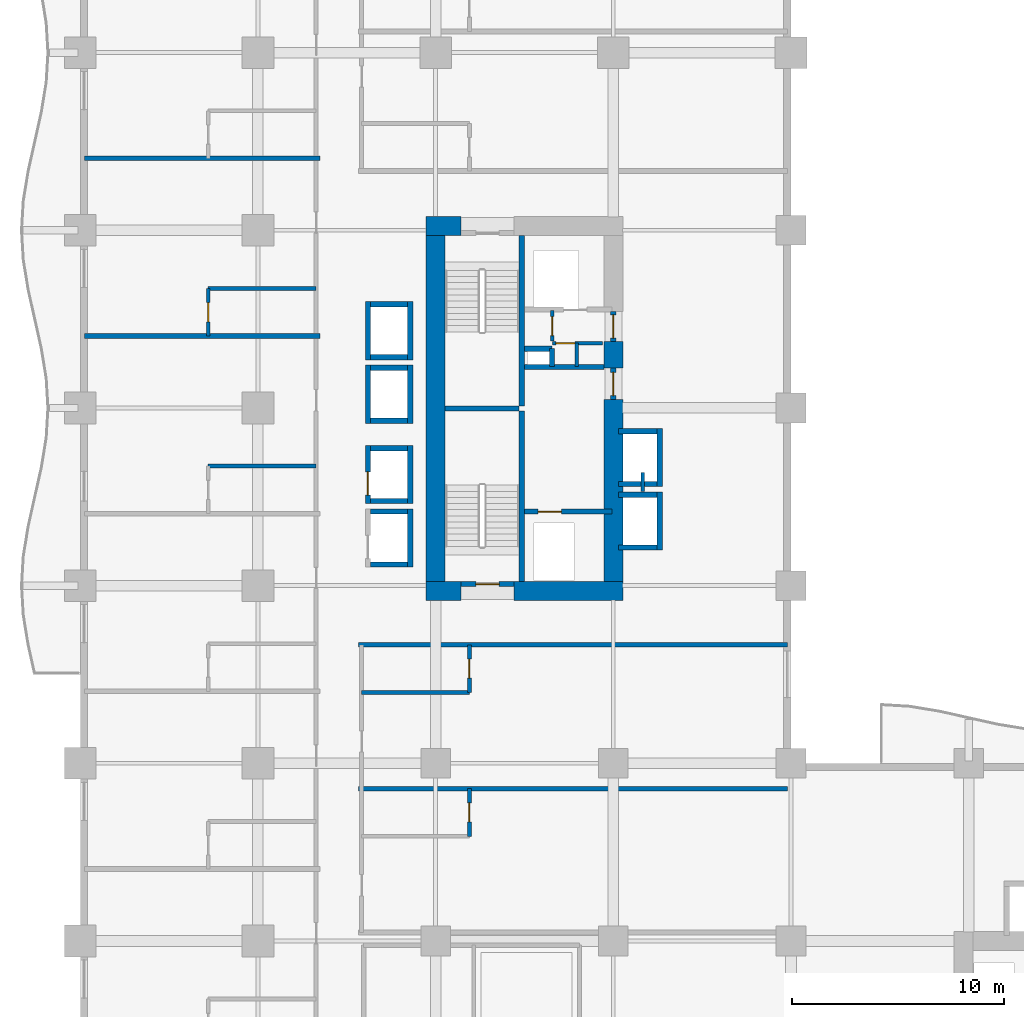
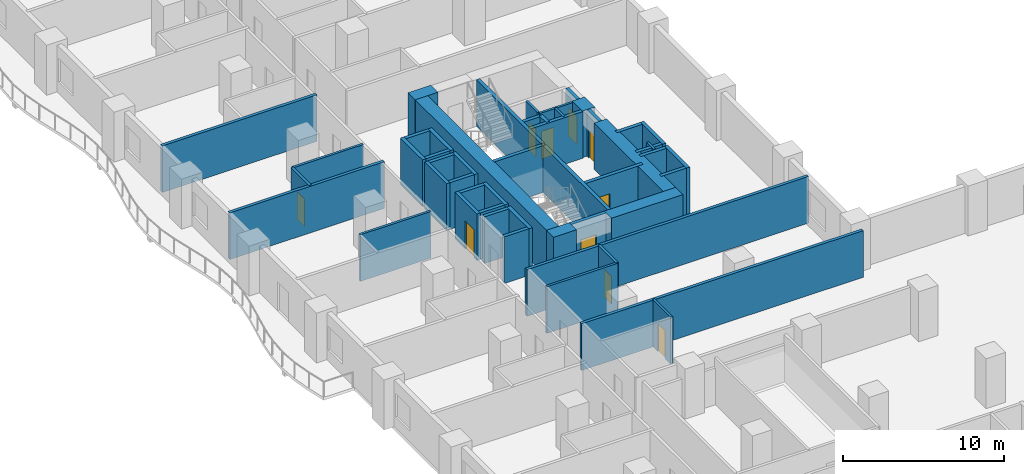
# One storey, part 17 of 26: 51 walls, 10 doors, 10 openings.
"""IFC4 building model written with IfcOpenShell, lengths in metres."""

from ifc_helpers import new_model, si_unit, direction, frame, frame_2d, origin, place, context, subcontext, project, spatial, rectangle, extrude, material, layer, layer_set, type_object, element, fill, save


model = new_model("IFC4")

# Units and contexts
model_context = context("Model", 3, precision=1e-05, world=origin(), true_north=direction((0.0, 1.0)))
body_context = subcontext(model_context, "Body", "Model", "MODEL_VIEW")
ifc_project = project(units=[si_unit("LENGTHUNIT", "METRE"), si_unit("AREAUNIT", "SQUARE_METRE"), si_unit("VOLUMEUNIT", "CUBIC_METRE"), si_unit("PLANEANGLEUNIT", "RADIAN"), si_unit("MASSUNIT", "GRAM", prefix="KILO")], contexts=[model_context])

# Site, building, storey
site_placement = place(None, origin())
site = spatial("IfcSite", under=ifc_project, at=site_placement, CompositionType="ELEMENT")
building_placement = place(site_placement, origin())
building = spatial("IfcBuilding", under=site, at=building_placement, Name="Koriwani Terraces Tower", CompositionType="ELEMENT")
storey_placement = place(building_placement, frame((0.0, 0.0, 39.60009765625)))
storey = spatial("IfcBuildingStorey", under=building, at=storey_placement, Name="L08", CompositionType="ELEMENT", Elevation=39.60009765625)

# Walls
ifc_material_1 = material(Name="Concrete C60/75", Category="concrete")
ifc_layer_1 = layer(ifc_material_1, 0.89990234375, Name="Concrete C60/75")
ifc_layer_set_1 = layer_set([ifc_layer_1], Name="Concrete C60/75")
wall_type_1 = type_object("IfcWallType", Name="WALL_CORE_RC_900", PredefinedType="SHEAR", material=ifc_layer_set_1)
wall_1_placement = place(storey_placement, frame((16.35009765625, 41.75, 0.0), z_axis=(0.0, 0.0, 1.0), x_axis=(1.0, 0.0, 0.0)))
element("IfcWall", 1, at=wall_1_placement, inside=storey, type_object=wall_type_1, Name="L08 West Split Core Shear Wall S1", PredefinedType="SHEAR", context=body_context, shape_type="SweptSolid", body=[
    extrude(rectangle(XDim=1.64990234375, YDim=0.89990234375, at=frame_2d((0.824951171875, 0.0))), origin(), (0.0, 0.0, 1.0), 3.5498046875),
])
wall_2_placement = place(storey_placement, frame((20.5, 41.75, 0.0), z_axis=(0.0, 0.0, 1.0), x_axis=(1.0, 0.0, 0.0)))
element("IfcWall", 2, at=wall_2_placement, inside=storey, type_object=wall_type_1, Name="L08 West Split Core Shear Wall S2", PredefinedType="SHEAR", context=body_context, shape_type="SweptSolid", body=[
    extrude(rectangle(XDim=5.14990234375, YDim=0.89990234375, at=frame_2d((2.574951171875, 0.0))), origin(), (0.0, 0.0, 1.0), 3.5498046875),
])
wall_3_placement = place(storey_placement, frame((16.35009765625, 59.0, 0.0), z_axis=(0.0, 0.0, 1.0), x_axis=(1.0, 0.0, 0.0)))
element("IfcWall", 3, at=wall_3_placement, inside=storey, type_object=wall_type_1, Name="L08 West Split Core Shear Wall N1", PredefinedType="SHEAR", context=body_context, shape_type="SweptSolid", body=[
    extrude(rectangle(XDim=1.64990234375, YDim=0.89990234375, at=frame_2d((0.824951171875, 0.0))), origin(), (0.0, 0.0, 1.0), 3.5498046875),
])
wall_4_placement = place(storey_placement, frame((16.800048828125, 42.199951171875, 0.0), z_axis=(0.0, 0.0, 1.0), x_axis=(0.0, 1.0, 0.0)))
element("IfcWall", 4, at=wall_4_placement, inside=storey, type_object=wall_type_1, Name="L08 West Split Core Shear Wall W1", PredefinedType="SHEAR", context=body_context, shape_type="SweptSolid", body=[
    extrude(rectangle(XDim=16.35009765625, YDim=0.89990234375, at=frame_2d((8.175048828125, 0.0))), origin(), (0.0, 0.0, 1.0), 3.5498046875),
])
wall_5_placement = place(storey_placement, frame((25.199951171875, 42.199951171875, 0.0), z_axis=(0.0, 0.0, 1.0), x_axis=(0.0, 1.0, 0.0)))
element("IfcWall", 5, at=wall_5_placement, inside=storey, type_object=wall_type_1, Name="L08 West Split Core Shear Wall E1", PredefinedType="SHEAR", context=body_context, shape_type="SweptSolid", body=[
    extrude(rectangle(XDim=8.60009765625, YDim=0.89990234375, at=frame_2d((4.300048828125, 0.0))), origin(), (0.0, 0.0, 1.0), 3.5498046875),
])
wall_6_placement = place(storey_placement, frame((25.199951171875, 52.280029296875, 0.0), z_axis=(0.0, 0.0, 1.0), x_axis=(0.0, 1.0, 0.0)))
element("IfcWall", 6, at=wall_6_placement, inside=storey, type_object=wall_type_1, Name="L08 West Split Core Shear Wall E2", PredefinedType="SHEAR", context=body_context, shape_type="SweptSolid", body=[
    extrude(rectangle(XDim=1.27001953125, YDim=0.89990234375, at=frame_2d((0.635009765625, 0.0))), origin(), (0.0, 0.0, 1.0), 3.5498046875),
])
ifc_material_2 = material(Name="Autoclaved Cellular Concrete Blockwork", Category="masonry")
ifc_layer_2 = layer(ifc_material_2, 0.219970703125, Name="Autoclaved Cellular Concrete Blockwork")
ifc_layer_set_2 = layer_set([ifc_layer_2], Name="Autoclaved Cellular Concrete Blockwork")
wall_type_2 = type_object("IfcWallType", Name="WALL_DEMISING_220", PredefinedType="PARTITIONING", material=ifc_layer_set_2)
for number, where, z_axis, x_axis, name in (
    (7, (13.14990234375, 32.39990234375, 0.0), (0.0, 0.0, 1.0), (1.0, 0.0, 0.0), "L08 Interior Wall WDEM-L08-NWI-1"),
    (8, (13.14990234375, 39.199951171875, 0.0), (0.0, 0.0, 1.0), (1.0, 0.0, 0.0), "L08 Interior Wall WDEME-L08-NWI"),
):
    element("IfcWall", number, at=place(storey_placement, frame(where, z_axis=z_axis, x_axis=x_axis)), inside=storey, type_object=wall_type_2, Name=name, PredefinedType="PARTITIONING", context=body_context, shape_type="SweptSolid", body=[
        extrude(rectangle(XDim=20.280029296875, YDim=0.219970703125, at=frame_2d((10.14013671875, 0.0))), origin(), (0.0, 0.0, 1.0), 3.5498046875),
    ])
for number, where, z_axis, x_axis, name in (
    (9, (0.199951171875, 53.800048828125, 0.0), (0.0, 0.0, 1.0), (1.0, 0.0, 0.0), "L08 Interior Wall WDEM-L08-NW-6"),
    (10, (0.199951171875, 62.199951171875, 0.0), (0.0, 0.0, 1.0), (1.0, 0.0, 0.0), "L08 Interior Wall WDEM-L08-NW-7"),
):
    element("IfcWall", number, at=place(storey_placement, frame(where, z_axis=z_axis, x_axis=x_axis)), inside=storey, type_object=wall_type_2, Name=name, PredefinedType="PARTITIONING", context=body_context, shape_type="SweptSolid", body=[
        extrude(rectangle(XDim=11.130126953125, YDim=0.219970703125, at=frame_2d((5.56494140625, 0.0))), origin(), (0.0, 0.0, 1.0), 3.5498046875),
    ])

# Wall, opening, door
ifc_material_3 = material(Name="Fire-Rated Acoustic Gypsum Partition", Category="masonry")
ifc_layer_3 = layer(ifc_material_3, 0.179931640625, Name="Fire-Rated Acoustic Gypsum Partition")
ifc_layer_set_3 = layer_set([ifc_layer_3], Name="Fire-Rated Acoustic Gypsum Partition")
wall_type_3 = type_object("IfcWallType", Name="WALL_PLUMBING_180", PredefinedType="PLUMBINGWALL", material=ifc_layer_set_3)
wall_7_placement = place(storey_placement, frame((18.39990234375, 30.14990234375, 0.0), z_axis=(0.0, 0.0, 1.0), x_axis=(0.0, 1.0, 0.0)))
wall_7 = element("IfcWall", 11, at=wall_7_placement, inside=storey, type_object=wall_type_3, Name="L08 Interior Wall WBTH1-L08-NWI-0", PredefinedType="PLUMBINGWALL", context=body_context, shape_type="SweptSolid", body=[
    extrude(rectangle(XDim=2.25, YDim=0.179931640625, at=frame_2d((1.125, 0.0))), origin(), (0.0, 0.0, 1.0), 3.5498046875),
])
opening_1_placement = place(wall_7_placement, frame((0.675048828125, 0.0, 0.0)))
opening_1 = element("IfcOpeningElement", 12, at=opening_1_placement, cuts=wall_7, Name="Opening D-07", PredefinedType="OPENING", context=body_context, shape_type="SweptSolid", body=[
    extrude(rectangle(XDim=0.89990234375, YDim=2.10009765625, at=frame_2d((0.449951171875, 1.050048828125))), frame((0.0, 0.10009765625, 0.0), z_axis=(0.0, -1.0, 0.0), x_axis=(1.0, 0.0, 0.0)), (0.0, 0.0, 1.0), 0.199951171875),
])
ifc_material_4 = material(Name="Architectural Oak Fire Door", Category="wood")
door_type_1 = type_object("IfcDoorType", Name="DOOR_BATH_INT_900X2100", OperationType="NOTDEFINED", PredefinedType="DOOR", material=ifc_material_4)
door_1_placement = place(opening_1_placement, origin())
door_1 = element("IfcDoor", 13, at=door_1_placement, inside=storey, type_object=door_type_1, Name="En-Suite Bathroom 08NWI1 Door", OperationType="SINGLE_SWING_LEFT", OverallHeight=2.10009765625, OverallWidth=0.89990234375, PredefinedType="DOOR", context=body_context, shape_type="SweptSolid", body=[
    extrude(rectangle(XDim=0.89990234375, YDim=2.10009765625, at=frame_2d((0.449951171875, 1.050048828125))), frame((0.0, 0.02490234375, 0.0), z_axis=(0.0, -1.0, 0.0), x_axis=(1.0, 0.0, 0.0)), (0.0, 0.0, 1.0), 0.050048828125),
])
fill(opening_1, door_1)

wall_8_placement = place(storey_placement, frame((18.39990234375, 36.949951171875, 0.0), z_axis=(0.0, 0.0, 1.0), x_axis=(0.0, 1.0, 0.0)))
wall_8 = element("IfcWall", 14, at=wall_8_placement, inside=storey, type_object=wall_type_3, Name="L08 Interior Wall WBTH1-L08-NWI-1", PredefinedType="PLUMBINGWALL", context=body_context, shape_type="SweptSolid", body=[
    extrude(rectangle(XDim=2.25, YDim=0.179931640625, at=frame_2d((1.125, 0.0))), origin(), (0.0, 0.0, 1.0), 3.5498046875),
])
opening_2_placement = place(wall_8_placement, frame((0.675048828125, 0.0, 0.0)))
opening_2 = element("IfcOpeningElement", 15, at=opening_2_placement, cuts=wall_8, Name="Opening D-07", PredefinedType="OPENING", context=body_context, shape_type="SweptSolid", body=[
    extrude(rectangle(XDim=0.89990234375, YDim=2.10009765625, at=frame_2d((0.449951171875, 1.050048828125))), frame((0.0, 0.10009765625, 0.0), z_axis=(0.0, -1.0, 0.0), x_axis=(1.0, 0.0, 0.0)), (0.0, 0.0, 1.0), 0.199951171875),
])
door_2_placement = place(opening_2_placement, origin())
door_2 = element("IfcDoor", 16, at=door_2_placement, inside=storey, type_object=door_type_1, Name="En-Suite Bathroom 08NWI2 Door", OperationType="SINGLE_SWING_LEFT", OverallHeight=2.10009765625, OverallWidth=0.89990234375, PredefinedType="DOOR", context=body_context, shape_type="SweptSolid", body=[
    extrude(rectangle(XDim=0.89990234375, YDim=2.10009765625, at=frame_2d((0.449951171875, 1.050048828125))), frame((0.0, 0.02490234375, 0.0), z_axis=(0.0, -1.0, 0.0), x_axis=(1.0, 0.0, 0.0)), (0.0, 0.0, 1.0), 0.050048828125),
])
fill(opening_2, door_2)

# Walls
for number, where, z_axis, x_axis, name in (
    (17, (13.300048828125, 36.949951171875, 0.0), (0.0, 0.0, 1.0), (1.0, 0.0, 0.0), "L08 Interior Wall WBTH2-L08-NWI-1"),
    (18, (6.050048828125, 47.64990234375, 0.0), (0.0, 0.0, 1.0), (1.0, 0.0, 0.0), "L08 Interior Wall WBTH2-L08-NW-5"),
):
    element("IfcWall", number, at=place(storey_placement, frame(where, z_axis=z_axis, x_axis=x_axis)), inside=storey, type_object=wall_type_3, Name=name, PredefinedType="PLUMBINGWALL", context=body_context, shape_type="SweptSolid", body=[
        extrude(rectangle(XDim=5.099853515625, YDim=0.179931640625, at=frame_2d((2.5498046875, 0.0))), origin(), (0.0, 0.0, 1.0), 3.5498046875),
    ])

# Wall, opening, door
wall_9_placement = place(storey_placement, frame((6.050048828125, 53.800048828125, 0.0), z_axis=(0.0, 0.0, 1.0), x_axis=(0.0, 1.0, 0.0)))
wall_9 = element("IfcWall", 19, at=wall_9_placement, inside=storey, type_object=wall_type_3, Name="L08 Interior Wall WBTH1-L08-NW-6", PredefinedType="PLUMBINGWALL", context=body_context, shape_type="SweptSolid", body=[
    extrude(rectangle(XDim=2.25, YDim=0.179931640625, at=frame_2d((1.125, 0.0))), origin(), (0.0, 0.0, 1.0), 3.5498046875),
])
opening_3_placement = place(wall_9_placement, frame((0.675048828125, 0.0, 0.0)))
opening_3 = element("IfcOpeningElement", 20, at=opening_3_placement, cuts=wall_9, Name="Opening D-07", PredefinedType="OPENING", context=body_context, shape_type="SweptSolid", body=[
    extrude(rectangle(XDim=0.89990234375, YDim=2.10009765625, at=frame_2d((0.449951171875, 1.050048828125))), frame((0.0, 0.10009765625, 0.0), z_axis=(0.0, -1.0, 0.0), x_axis=(1.0, 0.0, 0.0)), (0.0, 0.0, 1.0), 0.199951171875),
])
door_3_placement = place(opening_3_placement, origin())
door_3 = element("IfcDoor", 21, at=door_3_placement, inside=storey, type_object=door_type_1, Name="En-Suite Bathroom 08NW7 Door", OperationType="SINGLE_SWING_LEFT", OverallHeight=2.10009765625, OverallWidth=0.89990234375, PredefinedType="DOOR", context=body_context, shape_type="SweptSolid", body=[
    extrude(rectangle(XDim=0.89990234375, YDim=2.10009765625, at=frame_2d((0.449951171875, 1.050048828125))), frame((0.0, 0.02490234375, 0.0), z_axis=(0.0, -1.0, 0.0), x_axis=(1.0, 0.0, 0.0)), (0.0, 0.0, 1.0), 0.050048828125),
])
fill(opening_3, door_3)

# Walls
wall_10_placement = place(storey_placement, frame((6.050048828125, 56.050048828125, 0.0), z_axis=(0.0, 0.0, 1.0), x_axis=(1.0, 0.0, 0.0)))
element("IfcWall", 22, at=wall_10_placement, inside=storey, type_object=wall_type_3, Name="L08 Interior Wall WBTH2-L08-NW-6", PredefinedType="PLUMBINGWALL", context=body_context, shape_type="SweptSolid", body=[
    extrude(rectangle(XDim=5.099853515625, YDim=0.179931640625, at=frame_2d((2.5498046875, 0.0))), origin(), (0.0, 0.0, 1.0), 3.5498046875),
])
ifc_material_5 = material(Name="Concrete C40/50", Category="concrete")
ifc_layer_4 = layer(ifc_material_5, 0.25, Name="Concrete C40/50")
ifc_layer_set_4 = layer_set([ifc_layer_4], Name="Concrete C40/50")
wall_type_4 = type_object("IfcWallType", Name="WALL_SHAFT_RATED_250", PredefinedType="SOLIDWALL", material=ifc_layer_set_4)
for number, where, z_axis, x_axis, name in (
    (23, (20.875, 42.199951171875, 0.0), (0.0, 0.0, 1.0), (0.0, 1.0, 0.0), "L08 West Split Core Web Wall MID1"),
    (24, (20.875, 50.5, 0.0), (0.0, 0.0, 1.0), (0.0, 1.0, 0.0), "L08 West Split Core Web Wall MID2"),
):
    element("IfcWall", number, at=place(storey_placement, frame(where, z_axis=z_axis, x_axis=x_axis)), inside=storey, type_object=wall_type_4, Name=name, PredefinedType="SOLIDWALL", context=body_context, shape_type="SweptSolid", body=[
        extrude(rectangle(XDim=8.050048828125, YDim=0.25, at=frame_2d((4.02490234375, 0.0))), origin(), (0.0, 0.0, 1.0), 3.5498046875),
    ])
wall_11_placement = place(storey_placement, frame((17.25, 50.375, 0.0), z_axis=(0.0, 0.0, 1.0), x_axis=(1.0, 0.0, 0.0)))
element("IfcWall", 25, at=wall_11_placement, inside=storey, type_object=wall_type_4, Name="L08 West Split Core Stair Dividing Wall", PredefinedType="SOLIDWALL", context=body_context, shape_type="SweptSolid", body=[
    extrude(rectangle(XDim=3.5, YDim=0.25, at=frame_2d((1.75, 0.0))), origin(), (0.0, 0.0, 1.0), 3.5498046875),
])

# Wall, opening, door
wall_12_placement = place(storey_placement, frame((18.0, 42.074951171875, 0.0), z_axis=(0.0, 0.0, 1.0), x_axis=(1.0, 0.0, 0.0)))
wall_12 = element("IfcWall", 26, at=wall_12_placement, inside=storey, type_object=wall_type_4, Name="L08 Interior Wall WIN-CW-L08-STS", PredefinedType="SOLIDWALL", context=body_context, shape_type="SweptSolid", body=[
    extrude(rectangle(XDim=2.5, YDim=0.25, at=frame_2d((1.25, 0.0))), origin(), (0.0, 0.0, 1.0), 3.5498046875),
])
opening_4_placement = place(wall_12_placement, frame((0.699951171875, 0.0, 0.0)))
opening_4 = element("IfcOpeningElement", 27, at=opening_4_placement, cuts=wall_12, Name="Opening D-03", PredefinedType="OPENING", context=body_context, shape_type="SweptSolid", body=[
    extrude(rectangle(XDim=1.10009765625, YDim=2.14990234375, at=frame_2d((0.550048828125, 1.074951171875))), frame((0.0, 0.135009765625, 0.0), z_axis=(0.0, -1.0, 0.0), x_axis=(1.0, 0.0, 0.0)), (0.0, 0.0, 1.0), 0.27001953125),
])
ifc_material_6 = material(Name="Steel ASTM A572 Grade 50", Category="steel")
door_type_2 = type_object("IfcDoorType", Name="DOOR_STAIR_FIRE_1100X2150", OperationType="NOTDEFINED", PredefinedType="DOOR", material=ifc_material_6)
door_4_placement = place(opening_4_placement, origin())
door_4 = element("IfcDoor", 28, at=door_4_placement, inside=storey, type_object=door_type_2, Name="L08 Exit Stair ST-W1 Door", OperationType="SINGLE_SWING_RIGHT", OverallHeight=2.14990234375, OverallWidth=1.10009765625, PredefinedType="DOOR", context=body_context, shape_type="SweptSolid", body=[
    extrude(rectangle(XDim=1.10009765625, YDim=2.14990234375, at=frame_2d((0.550048828125, 1.074951171875))), frame((0.0, 0.02490234375, 0.0), z_axis=(0.0, -1.0, 0.0), x_axis=(1.0, 0.0, 0.0)), (0.0, 0.0, 1.0), 0.050048828125),
])
fill(opening_4, door_4)

wall_13_placement = place(storey_placement, frame((21.0, 45.5, 0.0), z_axis=(0.0, 0.0, 1.0), x_axis=(1.0, 0.0, 0.0)))
wall_13 = element("IfcWall", 29, at=wall_13_placement, inside=storey, type_object=wall_type_4, Name="L08 Interior Wall WIN-CW-L08-FE", PredefinedType="SOLIDWALL", context=body_context, shape_type="SweptSolid", body=[
    extrude(rectangle(XDim=4.14990234375, YDim=0.25, at=frame_2d((2.074951171875, 0.0))), origin(), (0.0, 0.0, 1.0), 3.5498046875),
])
opening_5_placement = place(wall_13_placement, frame((0.64990234375, 0.0, 0.0)))
opening_5 = element("IfcOpeningElement", 30, at=opening_5_placement, cuts=wall_13, Name="Opening LD-01", PredefinedType="OPENING", context=body_context, shape_type="SweptSolid", body=[
    extrude(rectangle(XDim=1.10009765625, YDim=2.14990234375, at=frame_2d((0.550048828125, 1.074951171875))), frame((0.0, 0.135009765625, 0.0), z_axis=(0.0, -1.0, 0.0), x_axis=(1.0, 0.0, 0.0)), (0.0, 0.0, 1.0), 0.27001953125),
])
door_type_3 = type_object("IfcDoorType", Name="DOOR_LIFT_LANDING_1100X2200", OperationType="NOTDEFINED", PredefinedType="DOOR", material=ifc_material_6)
door_5_placement = place(opening_5_placement, origin())
door_5 = element("IfcDoor", 31, at=door_5_placement, inside=storey, type_object=door_type_3, Name="L08 Firefighting Lift FE-01 Landing Door", OperationType="SLIDING_TO_LEFT", OverallHeight=2.14990234375, OverallWidth=1.10009765625, PredefinedType="DOOR", context=body_context, shape_type="SweptSolid", body=[
    extrude(rectangle(XDim=1.10009765625, YDim=2.14990234375, at=frame_2d((0.550048828125, 1.074951171875))), frame((0.0, 0.02490234375, 0.0), z_axis=(0.0, -1.0, 0.0), x_axis=(1.0, 0.0, 0.0)), (0.0, 0.0, 1.0), 0.050048828125),
])
fill(opening_5, door_5)

wall_14_placement = place(storey_placement, frame((25.199951171875, 50.800048828125, 0.0), z_axis=(0.0, 0.0, 1.0), x_axis=(0.0, 1.0, 0.0)))
wall_14 = element("IfcWall", 32, at=wall_14_placement, inside=storey, type_object=wall_type_4, Name="L08 Interior Wall WIN-CW-L08-EP", PredefinedType="SOLIDWALL", context=body_context, shape_type="SweptSolid", body=[
    extrude(rectangle(XDim=1.47998046875, YDim=0.25, at=frame_2d((0.739990234375, 0.0))), origin(), (0.0, 0.0, 1.0), 3.5498046875),
])
opening_6_placement = place(wall_14_placement, frame((0.179931640625, 0.0, 0.0)))
opening_6 = element("IfcOpeningElement", 33, at=opening_6_placement, cuts=wall_14, Name="Opening D-03", PredefinedType="OPENING", context=body_context, shape_type="SweptSolid", body=[
    extrude(rectangle(XDim=1.10009765625, YDim=2.14990234375, at=frame_2d((0.550048828125, 1.074951171875))), frame((0.0, 0.135009765625, 0.0), z_axis=(0.0, -1.0, 0.0), x_axis=(1.0, 0.0, 0.0)), (0.0, 0.0, 1.0), 0.27001953125),
])
door_6_placement = place(opening_6_placement, origin())
door_6 = element("IfcDoor", 34, at=door_6_placement, inside=storey, type_object=door_type_2, Name="L08 West Firefighting Lobby Door", OperationType="SINGLE_SWING_RIGHT", OverallHeight=2.14990234375, OverallWidth=1.10009765625, PredefinedType="DOOR", context=body_context, shape_type="SweptSolid", body=[
    extrude(rectangle(XDim=1.10009765625, YDim=2.14990234375, at=frame_2d((0.550048828125, 1.074951171875))), frame((0.0, 0.02490234375, 0.0), z_axis=(0.0, -1.0, 0.0), x_axis=(1.0, 0.0, 0.0)), (0.0, 0.0, 1.0), 0.050048828125),
])
fill(opening_6, door_6)

# Wall
wall_15_placement = place(storey_placement, frame((21.0, 52.340087890625, 0.0), z_axis=(0.0, 0.0, 1.0), x_axis=(1.0, 0.0, 0.0)))
element("IfcWall", 35, at=wall_15_placement, inside=storey, type_object=wall_type_4, Name="L08 Interior Wall WIN-CW-L08-FFN", PredefinedType="SOLIDWALL", context=body_context, shape_type="SweptSolid", body=[
    extrude(rectangle(XDim=3.75, YDim=0.25, at=frame_2d((1.875, 0.0))), origin(), (0.0, 0.0, 1.0), 3.5498046875),
])

# Wall, opening, door
wall_16_placement = place(storey_placement, frame((25.199951171875, 53.550048828125, 0.0), z_axis=(0.0, 0.0, 1.0), x_axis=(0.0, 1.0, 0.0)))
wall_16 = element("IfcWall", 36, at=wall_16_placement, inside=storey, type_object=wall_type_4, Name="L08 Interior Wall WIN-CW-L08-EP2", PredefinedType="SOLIDWALL", context=body_context, shape_type="SweptSolid", body=[
    extrude(rectangle(XDim=1.39990234375, YDim=0.25, at=frame_2d((0.699951171875, 0.0))), origin(), (0.0, 0.0, 1.0), 3.5498046875),
])
opening_7_placement = place(wall_16_placement, frame((0.14990234375, 0.0, 0.0)))
opening_7 = element("IfcOpeningElement", 37, at=opening_7_placement, cuts=wall_16, Name="Opening D-03", PredefinedType="OPENING", context=body_context, shape_type="SweptSolid", body=[
    extrude(rectangle(XDim=1.10009765625, YDim=2.14990234375, at=frame_2d((0.550048828125, 1.074951171875))), frame((0.0, 0.135009765625, 0.0), z_axis=(0.0, -1.0, 0.0), x_axis=(1.0, 0.0, 0.0)), (0.0, 0.0, 1.0), 0.27001953125),
])
door_7_placement = place(opening_7_placement, origin())
door_7 = element("IfcDoor", 38, at=door_7_placement, inside=storey, type_object=door_type_2, Name="L08 West Goods Lift Lobby Door", OperationType="SINGLE_SWING_LEFT", OverallHeight=2.14990234375, OverallWidth=1.10009765625, PredefinedType="DOOR", context=body_context, shape_type="SweptSolid", body=[
    extrude(rectangle(XDim=1.10009765625, YDim=2.14990234375, at=frame_2d((0.550048828125, 1.074951171875))), frame((0.0, 0.02490234375, 0.0), z_axis=(0.0, -1.0, 0.0), x_axis=(1.0, 0.0, 0.0)), (0.0, 0.0, 1.0), 0.050048828125),
])
fill(opening_7, door_7)

# Walls
wall_17_placement = place(storey_placement, frame((21.0, 53.199951171875, 0.0), z_axis=(0.0, 0.0, 1.0), x_axis=(1.0, 0.0, 0.0)))
element("IfcWall", 39, at=wall_17_placement, inside=storey, type_object=wall_type_4, Name="L08 Interior Wall WIN-CW-L08-RS1", PredefinedType="SOLIDWALL", context=body_context, shape_type="SweptSolid", body=[
    extrude(rectangle(XDim=1.300048828125, YDim=0.25, at=frame_2d((0.64990234375, 0.0))), origin(), (0.0, 0.0, 1.0), 3.5498046875),
])
wall_18_placement = place(storey_placement, frame((22.300048828125, 52.360107421875, 0.0), z_axis=(0.0, 0.0, 1.0), x_axis=(0.0, 1.0, 0.0)))
element("IfcWall", 40, at=wall_18_placement, inside=storey, type_object=wall_type_4, Name="L08 Interior Wall WIN-CW-L08-RS2", PredefinedType="SOLIDWALL", context=body_context, shape_type="SweptSolid", body=[
    extrude(rectangle(XDim=0.83984375, YDim=0.25, at=frame_2d((0.419921875, 0.0))), origin(), (0.0, 0.0, 1.0), 3.5498046875),
])
wall_19_placement = place(storey_placement, frame((15.60009765625, 42.875, 0.0), z_axis=(0.0, 0.0, 1.0), x_axis=(0.0, 1.0, 0.0)))
element("IfcWall", 41, at=wall_19_placement, inside=storey, type_object=wall_type_4, Name="L08 Interior Wall WIN-LF-PE-L1-L08-B", PredefinedType="SOLIDWALL", context=body_context, shape_type="SweptSolid", body=[
    extrude(rectangle(XDim=2.75, YDim=0.25, at=frame_2d((1.375, 0.0))), origin(), (0.0, 0.0, 1.0), 3.5498046875),
])
for number, where, z_axis, x_axis, name in (
    (42, (13.72509765625, 43.0, 0.0), (0.0, 0.0, 1.0), (1.0, 0.0, 0.0), "L08 Interior Wall WIN-LF-PE-L1-L08-S"),
    (43, (13.72509765625, 45.5, 0.0), (0.0, 0.0, 1.0), (1.0, 0.0, 0.0), "L08 Interior Wall WIN-LF-PE-L1-L08-N"),
):
    element("IfcWall", number, at=place(storey_placement, frame(where, z_axis=z_axis, x_axis=x_axis)), inside=storey, type_object=wall_type_4, Name=name, PredefinedType="SOLIDWALL", context=body_context, shape_type="SweptSolid", body=[
        extrude(rectangle(XDim=1.75, YDim=0.25, at=frame_2d((0.875, 0.0))), origin(), (0.0, 0.0, 1.0), 3.5498046875),
    ])

# Wall, opening, door
wall_20_placement = place(storey_placement, frame((13.60009765625, 45.875, 0.0), z_axis=(0.0, 0.0, 1.0), x_axis=(0.0, 1.0, 0.0)))
wall_20 = element("IfcWall", 44, at=wall_20_placement, inside=storey, type_object=wall_type_4, Name="L08 Interior Wall WIN-LF-PE-L2-L08-F", PredefinedType="SOLIDWALL", context=body_context, shape_type="SweptSolid", body=[
    extrude(rectangle(XDim=2.75, YDim=0.25, at=frame_2d((1.375, 0.0))), origin(), (0.0, 0.0, 1.0), 3.5498046875),
])
opening_8_placement = place(wall_20_placement, frame((0.39990234375, 0.0, 0.0)))
opening_8 = element("IfcOpeningElement", 45, at=opening_8_placement, cuts=wall_20, Name="Opening LD-01", PredefinedType="OPENING", context=body_context, shape_type="SweptSolid", body=[
    extrude(rectangle(XDim=1.10009765625, YDim=2.14990234375, at=frame_2d((0.550048828125, 1.074951171875))), frame((0.0, 0.135009765625, 0.0), z_axis=(0.0, -1.0, 0.0), x_axis=(1.0, 0.0, 0.0)), (0.0, 0.0, 1.0), 0.27001953125),
])
door_8_placement = place(opening_8_placement, origin())
door_8 = element("IfcDoor", 46, at=door_8_placement, inside=storey, type_object=door_type_3, Name="L08 Passenger Lift PE-L2 Landing Door", OperationType="SLIDING_TO_LEFT", OverallHeight=2.14990234375, OverallWidth=1.10009765625, PredefinedType="DOOR", context=body_context, shape_type="SweptSolid", body=[
    extrude(rectangle(XDim=1.10009765625, YDim=2.14990234375, at=frame_2d((0.550048828125, 1.074951171875))), frame((0.0, 0.02490234375, 0.0), z_axis=(0.0, -1.0, 0.0), x_axis=(1.0, 0.0, 0.0)), (0.0, 0.0, 1.0), 0.050048828125),
])
fill(opening_8, door_8)

# Walls
wall_21_placement = place(storey_placement, frame((15.60009765625, 45.875, 0.0), z_axis=(0.0, 0.0, 1.0), x_axis=(0.0, 1.0, 0.0)))
element("IfcWall", 47, at=wall_21_placement, inside=storey, type_object=wall_type_4, Name="L08 Interior Wall WIN-LF-PE-L2-L08-B", PredefinedType="SOLIDWALL", context=body_context, shape_type="SweptSolid", body=[
    extrude(rectangle(XDim=2.75, YDim=0.25, at=frame_2d((1.375, 0.0))), origin(), (0.0, 0.0, 1.0), 3.5498046875),
])
for number, where, z_axis, x_axis, name in (
    (48, (13.72509765625, 46.0, 0.0), (0.0, 0.0, 1.0), (1.0, 0.0, 0.0), "L08 Interior Wall WIN-LF-PE-L2-L08-S"),
    (49, (13.72509765625, 48.5, 0.0), (0.0, 0.0, 1.0), (1.0, 0.0, 0.0), "L08 Interior Wall WIN-LF-PE-L2-L08-N"),
):
    element("IfcWall", number, at=place(storey_placement, frame(where, z_axis=z_axis, x_axis=x_axis)), inside=storey, type_object=wall_type_4, Name=name, PredefinedType="SOLIDWALL", context=body_context, shape_type="SweptSolid", body=[
        extrude(rectangle(XDim=1.75, YDim=0.25, at=frame_2d((0.875, 0.0))), origin(), (0.0, 0.0, 1.0), 3.5498046875),
    ])
for number, where, z_axis, x_axis, name in (
    (50, (13.60009765625, 49.675048828125, 0.0), (0.0, 0.0, 1.0), (0.0, 1.0, 0.0), "L08 Interior Wall WIN-LF-PE-M1-L08-F"),
    (51, (15.60009765625, 49.675048828125, 0.0), (0.0, 0.0, 1.0), (0.0, 1.0, 0.0), "L08 Interior Wall WIN-LF-PE-M1-L08-B"),
):
    element("IfcWall", number, at=place(storey_placement, frame(where, z_axis=z_axis, x_axis=x_axis)), inside=storey, type_object=wall_type_4, Name=name, PredefinedType="SOLIDWALL", context=body_context, shape_type="SweptSolid", body=[
        extrude(rectangle(XDim=2.75, YDim=0.25, at=frame_2d((1.375, 0.0))), origin(), (0.0, 0.0, 1.0), 3.5498046875),
    ])
for number, where, z_axis, x_axis, name in (
    (52, (13.72509765625, 49.800048828125, 0.0), (0.0, 0.0, 1.0), (1.0, 0.0, 0.0), "L08 Interior Wall WIN-LF-PE-M1-L08-S"),
    (53, (13.72509765625, 52.300048828125, 0.0), (0.0, 0.0, 1.0), (1.0, 0.0, 0.0), "L08 Interior Wall WIN-LF-PE-M1-L08-N"),
):
    element("IfcWall", number, at=place(storey_placement, frame(where, z_axis=z_axis, x_axis=x_axis)), inside=storey, type_object=wall_type_4, Name=name, PredefinedType="SOLIDWALL", context=body_context, shape_type="SweptSolid", body=[
        extrude(rectangle(XDim=1.75, YDim=0.25, at=frame_2d((0.875, 0.0))), origin(), (0.0, 0.0, 1.0), 3.5498046875),
    ])
for number, where, z_axis, x_axis, name in (
    (54, (13.60009765625, 52.675048828125, 0.0), (0.0, 0.0, 1.0), (0.0, 1.0, 0.0), "L08 Interior Wall WIN-LF-PE-M2-L08-F"),
    (55, (15.60009765625, 52.675048828125, 0.0), (0.0, 0.0, 1.0), (0.0, 1.0, 0.0), "L08 Interior Wall WIN-LF-PE-M2-L08-B"),
):
    element("IfcWall", number, at=place(storey_placement, frame(where, z_axis=z_axis, x_axis=x_axis)), inside=storey, type_object=wall_type_4, Name=name, PredefinedType="SOLIDWALL", context=body_context, shape_type="SweptSolid", body=[
        extrude(rectangle(XDim=2.75, YDim=0.25, at=frame_2d((1.375, 0.0))), origin(), (0.0, 0.0, 1.0), 3.5498046875),
    ])
for number, where, z_axis, x_axis, name in (
    (56, (13.72509765625, 52.800048828125, 0.0), (0.0, 0.0, 1.0), (1.0, 0.0, 0.0), "L08 Interior Wall WIN-LF-PE-M2-L08-S"),
    (57, (13.72509765625, 55.300048828125, 0.0), (0.0, 0.0, 1.0), (1.0, 0.0, 0.0), "L08 Interior Wall WIN-LF-PE-M2-L08-N"),
):
    element("IfcWall", number, at=place(storey_placement, frame(where, z_axis=z_axis, x_axis=x_axis)), inside=storey, type_object=wall_type_4, Name=name, PredefinedType="SOLIDWALL", context=body_context, shape_type="SweptSolid", body=[
        extrude(rectangle(XDim=1.75, YDim=0.25, at=frame_2d((0.875, 0.0))), origin(), (0.0, 0.0, 1.0), 3.5498046875),
    ])
wall_22_placement = place(storey_placement, frame((27.39990234375, 43.675048828125, 0.0), z_axis=(0.0, 0.0, 1.0), x_axis=(0.0, 1.0, 0.0)))
element("IfcWall", 58, at=wall_22_placement, inside=storey, type_object=wall_type_4, Name="L08 Interior Wall WIN-LF-PE-H1-L08-F", PredefinedType="SOLIDWALL", context=body_context, shape_type="SweptSolid", body=[
    extrude(rectangle(XDim=2.75, YDim=0.25, at=frame_2d((1.375, 0.0))), origin(), (0.0, 0.0, 1.0), 3.5498046875),
])
for number, where, z_axis, x_axis, name in (
    (59, (25.449951171875, 43.800048828125, 0.0), (0.0, 0.0, 1.0), (1.0, 0.0, 0.0), "L08 Interior Wall WIN-LF-PE-H1-L08-S"),
    (60, (25.449951171875, 46.300048828125, 0.0), (0.0, 0.0, 1.0), (1.0, 0.0, 0.0), "L08 Interior Wall WIN-LF-PE-H1-L08-N"),
):
    element("IfcWall", number, at=place(storey_placement, frame(where, z_axis=z_axis, x_axis=x_axis)), inside=storey, type_object=wall_type_4, Name=name, PredefinedType="SOLIDWALL", context=body_context, shape_type="SweptSolid", body=[
        extrude(rectangle(XDim=1.824951171875, YDim=0.25, at=frame_2d((0.91259765625, 0.0))), origin(), (0.0, 0.0, 1.0), 3.5498046875),
    ])
wall_23_placement = place(storey_placement, frame((27.39990234375, 46.675048828125, 0.0), z_axis=(0.0, 0.0, 1.0), x_axis=(0.0, 1.0, 0.0)))
element("IfcWall", 61, at=wall_23_placement, inside=storey, type_object=wall_type_4, Name="L08 Interior Wall WIN-LF-PE-H2-L08-F", PredefinedType="SOLIDWALL", context=body_context, shape_type="SweptSolid", body=[
    extrude(rectangle(XDim=2.75, YDim=0.25, at=frame_2d((1.375, 0.0))), origin(), (0.0, 0.0, 1.0), 3.5498046875),
])
for number, where, z_axis, x_axis, name in (
    (62, (25.449951171875, 46.800048828125, 0.0), (0.0, 0.0, 1.0), (1.0, 0.0, 0.0), "L08 Interior Wall WIN-LF-PE-H2-L08-S"),
    (63, (25.449951171875, 49.300048828125, 0.0), (0.0, 0.0, 1.0), (1.0, 0.0, 0.0), "L08 Interior Wall WIN-LF-PE-H2-L08-N"),
):
    element("IfcWall", number, at=place(storey_placement, frame(where, z_axis=z_axis, x_axis=x_axis)), inside=storey, type_object=wall_type_4, Name=name, PredefinedType="SOLIDWALL", context=body_context, shape_type="SweptSolid", body=[
        extrude(rectangle(XDim=1.824951171875, YDim=0.25, at=frame_2d((0.91259765625, 0.0))), origin(), (0.0, 0.0, 1.0), 3.5498046875),
    ])

# Wall, opening, door
ifc_layer_5 = layer(ifc_material_3, 0.159912109375, Name="Fire-Rated Acoustic Gypsum Partition")
ifc_layer_set_5 = layer_set([ifc_layer_5], Name="Fire-Rated Acoustic Gypsum Partition")
wall_type_5 = type_object("IfcWallType", Name="WALL_SUITE_160", PredefinedType="PARTITIONING", material=ifc_layer_set_5)
wall_24_placement = place(storey_placement, frame((22.320068359375, 53.56005859375, 0.0), z_axis=(0.0, 0.0, 1.0), x_axis=(0.0, 1.0, 0.0)))
wall_24 = element("IfcWall", 64, at=wall_24_placement, inside=storey, type_object=wall_type_5, Name="L08 Interior Wall WIN-CW-L08-SV2A", PredefinedType="PARTITIONING", context=body_context, shape_type="SweptSolid", body=[
    extrude(rectangle(XDim=1.43994140625, YDim=0.159912109375, at=frame_2d((0.719970703125, 0.0))), origin(), (0.0, 0.0, 1.0), 3.5498046875),
])
opening_9_placement = place(wall_24_placement, frame((0.260009765625, 0.0, 0.0)))
opening_9 = element("IfcOpeningElement", 65, at=opening_9_placement, cuts=wall_24, Name="Opening D-07", PredefinedType="OPENING", context=body_context, shape_type="SweptSolid", body=[
    extrude(rectangle(XDim=0.89990234375, YDim=2.10009765625, at=frame_2d((0.449951171875, 1.050048828125))), frame((0.0, 0.08984375, 0.0), z_axis=(0.0, -1.0, 0.0), x_axis=(1.0, 0.0, 0.0)), (0.0, 0.0, 1.0), 0.179931640625),
])
door_9_placement = place(opening_9_placement, origin())
door_9 = element("IfcDoor", 66, at=door_9_placement, inside=storey, type_object=door_type_1, Name="L08 West Meter Room Door", OperationType="SINGLE_SWING_RIGHT", OverallHeight=2.10009765625, OverallWidth=0.89990234375, PredefinedType="DOOR", context=body_context, shape_type="SweptSolid", body=[
    extrude(rectangle(XDim=0.89990234375, YDim=2.10009765625, at=frame_2d((0.449951171875, 1.050048828125))), frame((0.0, 0.02490234375, 0.0), z_axis=(0.0, -1.0, 0.0), x_axis=(1.0, 0.0, 0.0)), (0.0, 0.0, 1.0), 0.050048828125),
])
fill(opening_9, door_9)

wall_25_placement = place(storey_placement, frame((22.320068359375, 53.4599609375, 0.0), z_axis=(0.0, 0.0, 1.0), x_axis=(1.0, 0.0, 0.0)))
wall_25 = element("IfcWall", 67, at=wall_25_placement, inside=storey, type_object=wall_type_5, Name="L08 Interior Wall WIN-CW-L08-SV2H", PredefinedType="PARTITIONING", context=body_context, shape_type="SweptSolid", body=[
    extrude(rectangle(XDim=2.35986328125, YDim=0.159912109375, at=frame_2d((1.179931640625, 0.0))), origin(), (0.0, 0.0, 1.0), 3.5498046875),
])
opening_10_placement = place(wall_25_placement, frame((0.159912109375, 0.0, 0.0)))
opening_10 = element("IfcOpeningElement", 68, at=opening_10_placement, cuts=wall_25, Name="Opening D-07", PredefinedType="OPENING", context=body_context, shape_type="SweptSolid", body=[
    extrude(rectangle(XDim=0.89990234375, YDim=2.10009765625, at=frame_2d((0.449951171875, 1.050048828125))), frame((0.0, 0.08984375, 0.0), z_axis=(0.0, -1.0, 0.0), x_axis=(1.0, 0.0, 0.0)), (0.0, 0.0, 1.0), 0.179931640625),
])
door_10_placement = place(opening_10_placement, origin())
door_10 = element("IfcDoor", 69, at=door_10_placement, inside=storey, type_object=door_type_1, Name="L08 West Valve Room Door", OperationType="SINGLE_SWING_LEFT", OverallHeight=2.10009765625, OverallWidth=0.89990234375, PredefinedType="DOOR", context=body_context, shape_type="SweptSolid", body=[
    extrude(rectangle(XDim=0.89990234375, YDim=2.10009765625, at=frame_2d((0.449951171875, 1.050048828125))), frame((0.0, 0.02490234375, 0.0), z_axis=(0.0, -1.0, 0.0), x_axis=(1.0, 0.0, 0.0)), (0.0, 0.0, 1.0), 0.050048828125),
])
fill(opening_10, door_10)

# Walls
wall_26_placement = place(storey_placement, frame((23.47998046875, 52.360107421875, 0.0), z_axis=(0.0, 0.0, 1.0), x_axis=(0.0, 1.0, 0.0)))
element("IfcWall", 70, at=wall_26_placement, inside=storey, type_object=wall_type_5, Name="L08 Interior Wall WIN-CW-L08-SV2V", PredefinedType="PARTITIONING", context=body_context, shape_type="SweptSolid", body=[
    extrude(rectangle(XDim=1.099853515625, YDim=0.159912109375, at=frame_2d((0.5498046875, 0.0))), origin(), (0.0, 0.0, 1.0), 3.5498046875),
])
wall_27_placement = place(storey_placement, frame((26.60009765625, 46.4599609375, 0.0), z_axis=(0.0, 0.0, 1.0), x_axis=(0.0, 1.0, 0.0)))
element("IfcWall", 71, at=wall_27_placement, inside=storey, type_object=wall_type_5, Name="L08 Interior Wall WIN-LF-PEH12-MID-L08", PredefinedType="PARTITIONING", context=body_context, shape_type="SweptSolid", body=[
    extrude(rectangle(XDim=0.880126953125, YDim=0.159912109375, at=frame_2d((0.43994140625, 0.0))), origin(), (0.0, 0.0, 1.0), 3.5498046875),
])

save(model, "model.ifc")
